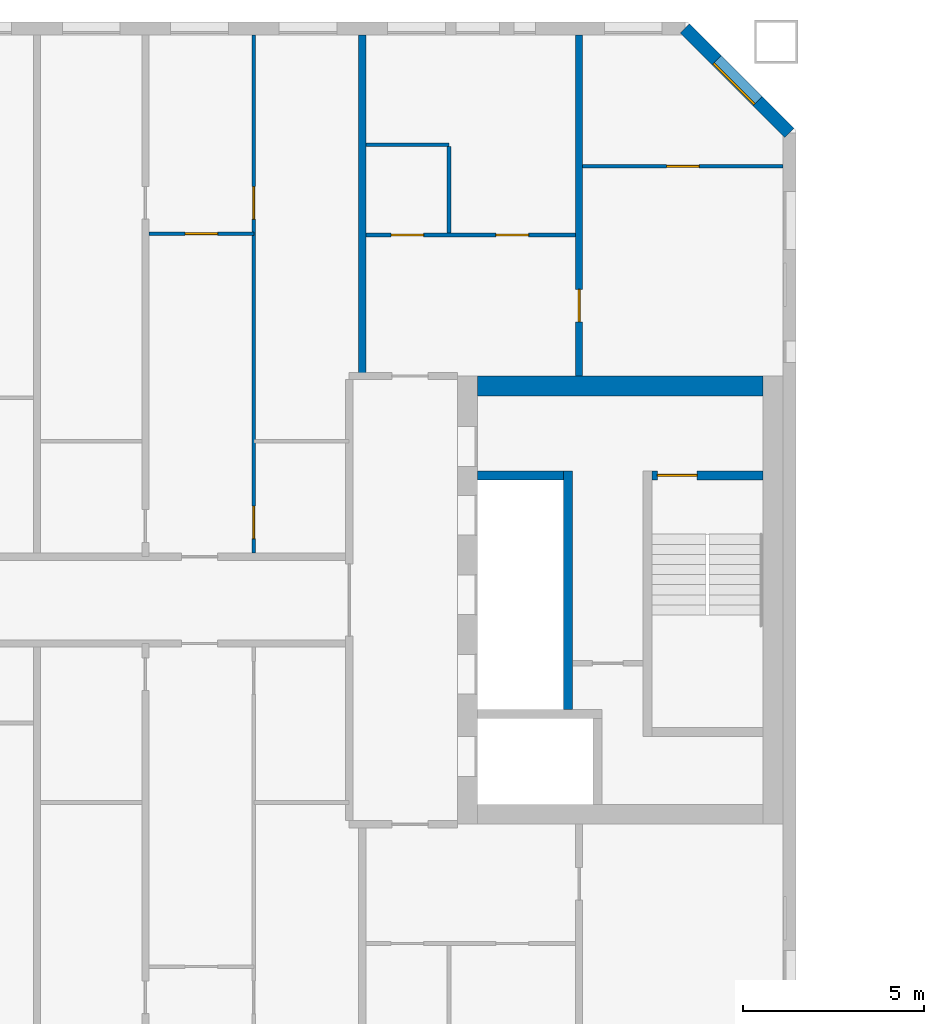
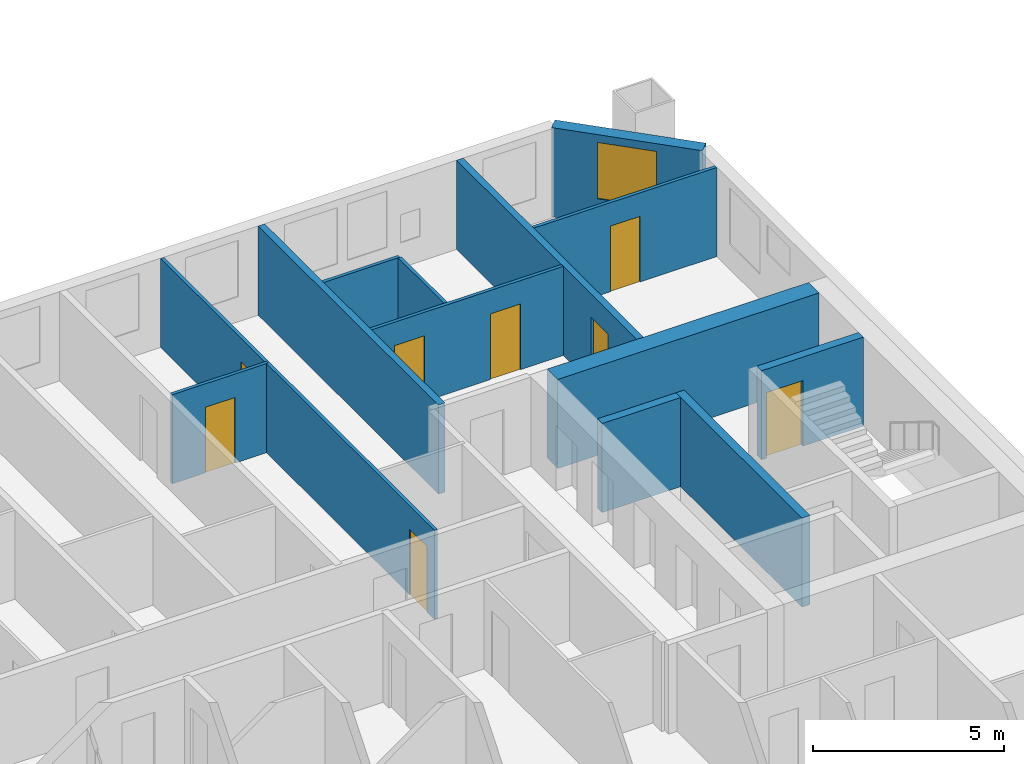
# One storey, part 8 of 17: 13 walls, 8 doors, 1 window, 9 openings.
"""IFC4 building model written with IfcOpenShell, lengths in metres."""

from ifc_helpers import new_model, si_unit, direction, frame, frame_2d, origin, place, context, subcontext, project, spatial, rectangle, extrude, material, layer, layer_set, type_object, element, fill, save


model = new_model("IFC4")

# Units and contexts
model_context = context("Model", 3, precision=1e-05, world=origin(), true_north=direction((0.0, 1.0)))
body_context = subcontext(model_context, "Body", "Model", "MODEL_VIEW")
ifc_project = project(units=[si_unit("LENGTHUNIT", "METRE"), si_unit("AREAUNIT", "SQUARE_METRE"), si_unit("VOLUMEUNIT", "CUBIC_METRE"), si_unit("PLANEANGLEUNIT", "RADIAN"), si_unit("MASSUNIT", "GRAM", prefix="KILO")], contexts=[model_context])

# Site, building, storey
site_placement = place(None, origin())
site = spatial("IfcSite", under=ifc_project, at=site_placement, CompositionType="ELEMENT")
building_placement = place(site_placement, origin())
building = spatial("IfcBuilding", under=site, at=building_placement, Name="Tuart Gate Housing", CompositionType="ELEMENT")
storey_placement = place(building_placement, frame((0.0, 0.0, 123.699951171875)))
storey = spatial("IfcBuildingStorey", under=building, at=storey_placement, Name="L34", CompositionType="ELEMENT", Elevation=123.699951171875)

# Wall, opening, window
ifc_material_1 = material(Name="Brick", Category="masonry")
ifc_layer_1 = layer(ifc_material_1, 0.360107421875)
ifc_layer_set_1 = layer_set([ifc_layer_1], Name="Brick pier and spandrel wall 360")
wall_type_1 = type_object("IfcWallType", Name="Brick pier and spandrel wall 360", PredefinedType="STANDARD", material=ifc_layer_set_1)
wall_1_placement = place(storey_placement, frame((75.820068359375, 82.92529296875, 0.0), z_axis=(0.0, 0.0, 1.0), x_axis=(-0.707106781187, 0.707106781187, 0.0)))
wall_1 = element("IfcWall", 1, at=wall_1_placement, inside=storey, type_object=wall_type_1, Name="External wall A-NE L34", PredefinedType="STANDARD", context=body_context, shape_type="SweptSolid", body=[
    extrude(rectangle(XDim=4.09375, YDim=0.360107421875, at=frame_2d((2.046875, 0.0))), origin(), (0.0, 0.0, 1.0), 2.85009765625),
])
opening_1_placement = place(wall_1_placement, frame((1.2470703125, 0.0, 0.800048828125)))
opening_1 = element("IfcOpeningElement", 2, at=opening_1_placement, cuts=wall_1, Name="Opening W1", PredefinedType="OPENING", context=body_context, shape_type="SweptSolid", body=[
    extrude(rectangle(XDim=1.60009765625, YDim=1.800048828125, at=frame_2d((0.800048828125, 0.89990234375))), frame((0.0, 0.18994140625, 0.0), z_axis=(0.0, -1.0, 0.0), x_axis=(1.0, 0.0, 0.0)), (0.0, 0.0, 1.0), 0.380126953125),
])
ifc_material_2 = material(Name="Aluminium frame with clear glass", Category="aluminium")
window_type = type_object("IfcWindowType", Name="Punched window 1600 x 1800", PartitioningType="SINGLE_PANEL", PredefinedType="WINDOW", material=ifc_material_2)
window_placement = place(opening_1_placement, origin())
window = element("IfcWindow", 3, at=window_placement, inside=storey, type_object=window_type, Name="Window W1", OverallHeight=1.800048828125, OverallWidth=1.60009765625, PartitioningType="SINGLE_PANEL", PredefinedType="WINDOW", context=body_context, shape_type="SweptSolid", body=[
    extrude(rectangle(XDim=1.60009765625, YDim=1.800048828125, at=frame_2d((0.800048828125, 0.89990234375))), frame((0.0, 0.150146484375, 0.0), z_axis=(0.0, -1.0, 0.0), x_axis=(1.0, 0.0, 0.0)), (0.0, 0.0, 1.0), 0.06005859375),
])
fill(opening_1, window)

# Wall
ifc_material_3 = material(Name="Concrete C50", Category="concrete")
ifc_layer_2 = layer(ifc_material_3, 0.25)
ifc_layer_set_2 = layer_set([ifc_layer_2], Name="Core wall 250 C50")
wall_type_2 = type_object("IfcWallType", Name="Core wall 250 C50", PredefinedType="SHEAR", material=ifc_layer_set_2)
wall_2_placement = place(storey_placement, frame((67.18994140625, 73.449951171875, 0.0), z_axis=(0.0, 0.0, 1.0), x_axis=(1.0, 0.0, 0.0)))
element("IfcWall", 4, at=wall_2_placement, inside=storey, type_object=wall_type_2, Name="Core wall AG.4", PredefinedType="SHEAR", context=body_context, shape_type="SweptSolid", body=[
    extrude(rectangle(XDim=2.375, YDim=0.25, at=frame_2d((1.1875, 0.0))), origin(), (0.0, 0.0, 1.0), 2.85009765625),
])

# Wall, opening, door
wall_3_placement = place(storey_placement, frame((72.014892578125, 73.449951171875, 0.0), z_axis=(0.0, 0.0, 1.0), x_axis=(1.0, 0.0, 0.0)))
wall_3 = element("IfcWall", 5, at=wall_3_placement, inside=storey, type_object=wall_type_2, Name="Core wall AG.5", PredefinedType="SHEAR", context=body_context, shape_type="SweptSolid", body=[
    extrude(rectangle(XDim=3.0751953125, YDim=0.25, at=frame_2d((1.53759765625, 0.0))), origin(), (0.0, 0.0, 1.0), 2.85009765625),
])
opening_2_placement = place(wall_3_placement, frame((0.14990234375, 0.0, 0.0)))
opening_2 = element("IfcOpeningElement", 6, at=opening_2_placement, cuts=wall_3, Name="Opening D1313", PredefinedType="OPENING", context=body_context, shape_type="SweptSolid", body=[
    extrude(rectangle(XDim=1.10009765625, YDim=2.10009765625, at=frame_2d((0.550048828125, 1.050048828125))), frame((0.0, 0.135009765625, 0.0), z_axis=(0.0, -1.0, 0.0), x_axis=(1.0, 0.0, 0.0)), (0.0, 0.0, 1.0), 0.27001953125),
])
ifc_material_4 = material(Name="Steel fire door", Category="steel")
door_type_1 = type_object("IfcDoorType", Name="Stair door 1100 x 2100 RH", OperationType="SINGLE_SWING_RIGHT", PredefinedType="DOOR", material=ifc_material_4)
door_1_placement = place(opening_2_placement, frame((1.10009765625, 0.0, 0.0), z_axis=(0.0, 0.0, 1.0), x_axis=(-1.0, 0.0, 0.0)))
door_1 = element("IfcDoor", 7, at=door_1_placement, inside=storey, type_object=door_type_1, Name="Stair door AG.SD", OperationType="SINGLE_SWING_RIGHT", OverallHeight=2.10009765625, OverallWidth=1.10009765625, PredefinedType="DOOR", context=body_context, shape_type="SweptSolid", body=[
    extrude(rectangle(XDim=1.10009765625, YDim=2.10009765625, at=frame_2d((0.550048828125, 1.050048828125))), frame((0.0, 0.025146484375, 0.0), z_axis=(0.0, -1.0, 0.0), x_axis=(1.0, 0.0, 0.0)), (0.0, 0.0, 1.0), 0.050048828125),
])
fill(opening_2, door_1)

# Walls
wall_4_placement = place(storey_placement, frame((69.68994140625, 66.97509765625, 0.0), z_axis=(0.0, 0.0, 1.0), x_axis=(0.0, 1.0, 0.0)))
element("IfcWall", 8, at=wall_4_placement, inside=storey, type_object=wall_type_2, Name="Core wall AG.6", PredefinedType="SHEAR", context=body_context, shape_type="SweptSolid", body=[
    extrude(rectangle(XDim=6.599853515625, YDim=0.25, at=frame_2d((3.2998046875, 0.0))), origin(), (0.0, 0.0, 1.0), 2.85009765625),
])
ifc_material_5 = material(Name="Concrete C50", Category="concrete")
ifc_layer_3 = layer(ifc_material_5, 0.550048828125)
ifc_layer_set_3 = layer_set([ifc_layer_3], Name="Core wall 550 C50")
wall_type_3 = type_object("IfcWallType", Name="Core wall 550 C50", PredefinedType="SHEAR", material=ifc_layer_set_3)
wall_5_placement = place(storey_placement, frame((67.18994140625, 75.925048828125, 0.0), z_axis=(0.0, 0.0, 1.0), x_axis=(1.0, 0.0, 0.0)))
element("IfcWall", 9, at=wall_5_placement, inside=storey, type_object=wall_type_3, Name="Core wall AG north", PredefinedType="SHEAR", context=body_context, shape_type="SweptSolid", body=[
    extrude(rectangle(XDim=7.900146484375, YDim=0.550048828125, at=frame_2d((3.9501953125, 0.0))), origin(), (0.0, 0.0, 1.0), 2.85009765625),
])

# Wall, openings, doors
ifc_material_6 = material(Name="Gypsum board on steel studs", Category="steel")
ifc_layer_4 = layer(ifc_material_6, 0.10009765625)
ifc_layer_set_4 = layer_set([ifc_layer_4], Name="Partition 100")
wall_type_4 = type_object("IfcWallType", Name="Partition 100", PredefinedType="PARTITIONING", material=ifc_layer_set_4)
wall_6_placement = place(storey_placement, frame((64.10009765625, 80.10009765625, 0.0), z_axis=(0.0, 0.0, 1.0), x_axis=(1.0, 0.0, 0.0)))
wall_6 = element("IfcWall", 10, at=wall_6_placement, inside=storey, type_object=wall_type_4, Name="Partition 100", PredefinedType="PARTITIONING", context=body_context, shape_type="SweptSolid", body=[
    extrude(rectangle(XDim=5.7998046875, YDim=0.10009765625, at=frame_2d((2.89990234375, 0.0))), origin(), (0.0, 0.0, 1.0), 2.85009765625),
])
opening_3_placement = place(wall_6_placement, frame((3.60009765625, 0.0, 0.0)))
opening_3 = element("IfcOpeningElement", 11, at=opening_3_placement, cuts=wall_6, Name="Opening D1297", PredefinedType="OPENING", context=body_context, shape_type="SweptSolid", body=[
    extrude(rectangle(XDim=0.89990234375, YDim=2.10009765625, at=frame_2d((0.449951171875, 1.050048828125))), frame((0.0, 0.06005859375, 0.0), z_axis=(0.0, -1.0, 0.0), x_axis=(1.0, 0.0, 0.0)), (0.0, 0.0, 1.0), 0.1201171875),
])
opening_4_placement = place(wall_6_placement, frame((0.699951171875, 0.0, 0.0)))
opening_4 = element("IfcOpeningElement", 12, at=opening_4_placement, cuts=wall_6, Name="Opening D1296", PredefinedType="OPENING", context=body_context, shape_type="SweptSolid", body=[
    extrude(rectangle(XDim=0.89990234375, YDim=2.10009765625, at=frame_2d((0.449951171875, 1.050048828125))), frame((0.0, 0.06005859375, 0.0), z_axis=(0.0, -1.0, 0.0), x_axis=(1.0, 0.0, 0.0)), (0.0, 0.0, 1.0), 0.1201171875),
])
ifc_material_7 = material(Name="Timber door leaf in steel frame", Category="steel")
door_type_2 = type_object("IfcDoorType", Name="Bathroom door 900 RH", OperationType="SINGLE_SWING_RIGHT", PredefinedType="DOOR", material=ifc_material_7)
door_2_placement = place(opening_4_placement, origin())
door_2 = element("IfcDoor", 13, at=door_2_placement, inside=storey, type_object=door_type_2, Name="Bathroom door", OperationType="SINGLE_SWING_RIGHT", OverallHeight=2.10009765625, OverallWidth=0.89990234375, PredefinedType="DOOR", context=body_context, shape_type="SweptSolid", body=[
    extrude(rectangle(XDim=0.89990234375, YDim=2.10009765625, at=frame_2d((0.449951171875, 1.050048828125))), frame((0.0, 0.02490234375, 0.0), z_axis=(0.0, -1.0, 0.0), x_axis=(1.0, 0.0, 0.0)), (0.0, 0.0, 1.0), 0.050048828125),
])
fill(opening_4, door_2)
ifc_material_8 = material(Name="Timber door leaf in steel frame", Category="steel")
door_type_3 = type_object("IfcDoorType", Name="Internal door 900", OperationType="SINGLE_SWING_LEFT", PredefinedType="DOOR", material=ifc_material_8)
door_3_placement = place(opening_3_placement, origin())
door_3 = element("IfcDoor", 14, at=door_3_placement, inside=storey, type_object=door_type_3, Name="Internal door", OperationType="SINGLE_SWING_LEFT", OverallHeight=2.10009765625, OverallWidth=0.89990234375, PredefinedType="DOOR", context=body_context, shape_type="SweptSolid", body=[
    extrude(rectangle(XDim=0.89990234375, YDim=2.10009765625, at=frame_2d((0.449951171875, 1.050048828125))), frame((0.0, 0.02490234375, 0.0), z_axis=(0.0, -1.0, 0.0), x_axis=(1.0, 0.0, 0.0)), (0.0, 0.0, 1.0), 0.050048828125),
])
fill(opening_3, door_3)

# Wall, opening, door
wall_7_placement = place(storey_placement, frame((58.10009765625, 80.139892578125, 0.0), z_axis=(0.0, 0.0, 1.0), x_axis=(1.0, 0.0, 0.0)))
wall_7 = element("IfcWall", 15, at=wall_7_placement, inside=storey, type_object=wall_type_4, Name="Partition 100", PredefinedType="PARTITIONING", context=body_context, shape_type="SweptSolid", body=[
    extrude(rectangle(XDim=2.89990234375, YDim=0.10009765625, at=frame_2d((1.449951171875, 0.0))), origin(), (0.0, 0.0, 1.0), 2.85009765625),
])
opening_5_placement = place(wall_7_placement, frame((1.0, 0.0, 0.0)))
opening_5 = element("IfcOpeningElement", 16, at=opening_5_placement, cuts=wall_7, Name="Opening D1293", PredefinedType="OPENING", context=body_context, shape_type="SweptSolid", body=[
    extrude(rectangle(XDim=0.89990234375, YDim=2.10009765625, at=frame_2d((0.449951171875, 1.050048828125))), frame((0.0, 0.06005859375, 0.0), z_axis=(0.0, -1.0, 0.0), x_axis=(1.0, 0.0, 0.0)), (0.0, 0.0, 1.0), 0.1201171875),
])
door_4_placement = place(opening_5_placement, frame((0.89990234375, 0.0, 0.0), z_axis=(0.0, 0.0, 1.0), x_axis=(-1.0, 0.0, 0.0)))
door_4 = element("IfcDoor", 17, at=door_4_placement, inside=storey, type_object=door_type_3, Name="Internal door", OperationType="SINGLE_SWING_LEFT", OverallHeight=2.10009765625, OverallWidth=0.89990234375, PredefinedType="DOOR", context=body_context, shape_type="SweptSolid", body=[
    extrude(rectangle(XDim=0.89990234375, YDim=2.10009765625, at=frame_2d((0.449951171875, 1.050048828125))), frame((0.0, 0.025146484375, 0.0), z_axis=(0.0, -1.0, 0.0), x_axis=(1.0, 0.0, 0.0)), (0.0, 0.0, 1.0), 0.050048828125),
])
fill(opening_5, door_4)

wall_8_placement = place(storey_placement, frame((70.10009765625, 82.0, 0.0), z_axis=(0.0, 0.0, 1.0), x_axis=(1.0, 0.0, 0.0)))
wall_8 = element("IfcWall", 18, at=wall_8_placement, inside=storey, type_object=wall_type_4, Name="Partition 100", PredefinedType="PARTITIONING", context=body_context, shape_type="SweptSolid", body=[
    extrude(rectangle(XDim=5.539794921875, YDim=0.10009765625, at=frame_2d((2.77001953125, 0.0))), origin(), (0.0, 0.0, 1.0), 2.85009765625),
])
opening_6_placement = place(wall_8_placement, frame((2.320068359375, 0.0, 0.0)))
opening_6 = element("IfcOpeningElement", 19, at=opening_6_placement, cuts=wall_8, Name="Opening D1290", PredefinedType="OPENING", context=body_context, shape_type="SweptSolid", body=[
    extrude(rectangle(XDim=0.89990234375, YDim=2.10009765625, at=frame_2d((0.449951171875, 1.050048828125))), frame((0.0, 0.06005859375, 0.0), z_axis=(0.0, -1.0, 0.0), x_axis=(1.0, 0.0, 0.0)), (0.0, 0.0, 1.0), 0.1201171875),
])
ifc_material_9 = material(Name="Timber door leaf in steel frame", Category="steel")
door_type_4 = type_object("IfcDoorType", Name="Internal door 900 RH", OperationType="SINGLE_SWING_RIGHT", PredefinedType="DOOR", material=ifc_material_9)
door_5_placement = place(opening_6_placement, origin())
door_5 = element("IfcDoor", 20, at=door_5_placement, inside=storey, type_object=door_type_4, Name="Internal door", OperationType="SINGLE_SWING_RIGHT", OverallHeight=2.10009765625, OverallWidth=0.89990234375, PredefinedType="DOOR", context=body_context, shape_type="SweptSolid", body=[
    extrude(rectangle(XDim=0.89990234375, YDim=2.10009765625, at=frame_2d((0.449951171875, 1.050048828125))), frame((0.0, 0.02490234375, 0.0), z_axis=(0.0, -1.0, 0.0), x_axis=(1.0, 0.0, 0.0)), (0.0, 0.0, 1.0), 0.050048828125),
])
fill(opening_6, door_5)

# Wall
wall_9_placement = place(storey_placement, frame((64.10009765625, 82.60009765625, 0.0), z_axis=(0.0, 0.0, 1.0), x_axis=(1.0, 0.0, 0.0)))
element("IfcWall", 21, at=wall_9_placement, inside=storey, type_object=wall_type_4, Name="Partition 100", PredefinedType="PARTITIONING", context=body_context, shape_type="SweptSolid", body=[
    extrude(rectangle(XDim=2.2998046875, YDim=0.10009765625, at=frame_2d((1.14990234375, 0.0))), origin(), (0.0, 0.0, 1.0), 2.85009765625),
])

# Wall, openings, doors
wall_10_placement = place(storey_placement, frame((61.0, 71.300048828125, 0.0), z_axis=(0.0, 0.0, 1.0), x_axis=(0.0, 1.0, 0.0)))
wall_10 = element("IfcWall", 22, at=wall_10_placement, inside=storey, type_object=wall_type_4, Name="Partition 100", PredefinedType="PARTITIONING", context=body_context, shape_type="SweptSolid", body=[
    extrude(rectangle(XDim=14.33984375, YDim=0.10009765625, at=frame_2d((7.169921875, 0.0))), origin(), (0.0, 0.0, 1.0), 2.85009765625),
])
opening_7_placement = place(wall_10_placement, frame((9.239990234375, 0.0, 0.0)))
opening_7 = element("IfcOpeningElement", 23, at=opening_7_placement, cuts=wall_10, Name="Opening D1304", PredefinedType="OPENING", context=body_context, shape_type="SweptSolid", body=[
    extrude(rectangle(XDim=0.89990234375, YDim=2.10009765625, at=frame_2d((0.449951171875, 1.050048828125))), frame((0.0, 0.06005859375, 0.0), z_axis=(0.0, -1.0, 0.0), x_axis=(1.0, 0.0, 0.0)), (0.0, 0.0, 1.0), 0.1201171875),
])
opening_8_placement = place(wall_10_placement, frame((0.39990234375, 0.0, 0.0)))
opening_8 = element("IfcOpeningElement", 24, at=opening_8_placement, cuts=wall_10, Name="Opening D1303", PredefinedType="OPENING", context=body_context, shape_type="SweptSolid", body=[
    extrude(rectangle(XDim=0.89990234375, YDim=2.10009765625, at=frame_2d((0.449951171875, 1.050048828125))), frame((0.0, 0.06005859375, 0.0), z_axis=(0.0, -1.0, 0.0), x_axis=(1.0, 0.0, 0.0)), (0.0, 0.0, 1.0), 0.1201171875),
])
door_6_placement = place(opening_8_placement, frame((0.89990234375, 0.0, 0.0), z_axis=(0.0, 0.0, 1.0), x_axis=(-1.0, 0.0, 0.0)))
door_6 = element("IfcDoor", 25, at=door_6_placement, inside=storey, type_object=door_type_2, Name="Bathroom door", OperationType="SINGLE_SWING_RIGHT", OverallHeight=2.10009765625, OverallWidth=0.89990234375, PredefinedType="DOOR", context=body_context, shape_type="SweptSolid", body=[
    extrude(rectangle(XDim=0.89990234375, YDim=2.10009765625, at=frame_2d((0.449951171875, 1.050048828125))), frame((0.0, 0.025146484375, 0.0), z_axis=(0.0, -1.0, 0.0), x_axis=(1.0, 0.0, 0.0)), (0.0, 0.0, 1.0), 0.050048828125),
])
fill(opening_8, door_6)
door_7_placement = place(opening_7_placement, frame((0.89990234375, 0.0, 0.0), z_axis=(0.0, 0.0, 1.0), x_axis=(-1.0, 0.0, 0.0)))
door_7 = element("IfcDoor", 26, at=door_7_placement, inside=storey, type_object=door_type_3, Name="Internal door", OperationType="SINGLE_SWING_LEFT", OverallHeight=2.10009765625, OverallWidth=0.89990234375, PredefinedType="DOOR", context=body_context, shape_type="SweptSolid", body=[
    extrude(rectangle(XDim=0.89990234375, YDim=2.10009765625, at=frame_2d((0.449951171875, 1.050048828125))), frame((0.0, 0.025146484375, 0.0), z_axis=(0.0, -1.0, 0.0), x_axis=(1.0, 0.0, 0.0)), (0.0, 0.0, 1.0), 0.050048828125),
])
fill(opening_7, door_7)

# Walls
wall_11_placement = place(storey_placement, frame((66.39990234375, 80.14990234375, 0.0), z_axis=(0.0, 0.0, 1.0), x_axis=(0.0, 1.0, 0.0)))
element("IfcWall", 27, at=wall_11_placement, inside=storey, type_object=wall_type_4, Name="Partition 100", PredefinedType="PARTITIONING", context=body_context, shape_type="SweptSolid", body=[
    extrude(rectangle(XDim=2.400146484375, YDim=0.10009765625, at=frame_2d((1.2001953125, 0.0))), origin(), (0.0, 0.0, 1.0), 2.85009765625),
])
ifc_material_10 = material(Name="Concrete C40", Category="concrete")
ifc_layer_5 = layer(ifc_material_10, 0.199951171875)
ifc_layer_set_5 = layer_set([ifc_layer_5], Name="Party wall concrete C40 200")
wall_type_5 = type_object("IfcWallType", Name="Party wall concrete C40 200", PredefinedType="SOLIDWALL", material=ifc_layer_set_5)
wall_12_placement = place(storey_placement, frame((64.0, 76.199951171875, 0.0), z_axis=(0.0, 0.0, 1.0), x_axis=(0.0, 1.0, 0.0)))
element("IfcWall", 28, at=wall_12_placement, inside=storey, type_object=wall_type_5, Name="Party wall concrete C40 200", PredefinedType="SOLIDWALL", context=body_context, shape_type="SweptSolid", body=[
    extrude(rectangle(XDim=9.43994140625, YDim=0.199951171875, at=frame_2d((4.719970703125, 0.0))), origin(), (0.0, 0.0, 1.0), 2.85009765625),
])

# Wall, opening, door
wall_13_placement = place(storey_placement, frame((70.0, 76.199951171875, 0.0), z_axis=(0.0, 0.0, 1.0), x_axis=(0.0, 1.0, 0.0)))
wall_13 = element("IfcWall", 29, at=wall_13_placement, inside=storey, type_object=wall_type_5, Name="Party wall concrete C40 200", PredefinedType="SOLIDWALL", context=body_context, shape_type="SweptSolid", body=[
    extrude(rectangle(XDim=9.43994140625, YDim=0.199951171875, at=frame_2d((4.719970703125, 0.0))), origin(), (0.0, 0.0, 1.0), 2.85009765625),
])
opening_9_placement = place(wall_13_placement, frame((1.5, 0.0, 0.0)))
opening_9 = element("IfcOpeningElement", 30, at=opening_9_placement, cuts=wall_13, Name="Opening D1291", PredefinedType="OPENING", context=body_context, shape_type="SweptSolid", body=[
    extrude(rectangle(XDim=0.89990234375, YDim=2.10009765625, at=frame_2d((0.449951171875, 1.050048828125))), frame((0.0, 0.10986328125, 0.0), z_axis=(0.0, -1.0, 0.0), x_axis=(1.0, 0.0, 0.0)), (0.0, 0.0, 1.0), 0.219970703125),
])
door_8_placement = place(opening_9_placement, origin())
door_8 = element("IfcDoor", 31, at=door_8_placement, inside=storey, type_object=door_type_3, Name="Internal door", OperationType="SINGLE_SWING_LEFT", OverallHeight=2.10009765625, OverallWidth=0.89990234375, PredefinedType="DOOR", context=body_context, shape_type="SweptSolid", body=[
    extrude(rectangle(XDim=0.89990234375, YDim=2.10009765625, at=frame_2d((0.449951171875, 1.050048828125))), frame((0.0, 0.02490234375, 0.0), z_axis=(0.0, -1.0, 0.0), x_axis=(1.0, 0.0, 0.0)), (0.0, 0.0, 1.0), 0.050048828125),
])
fill(opening_9, door_8)

save(model, "model.ifc")
